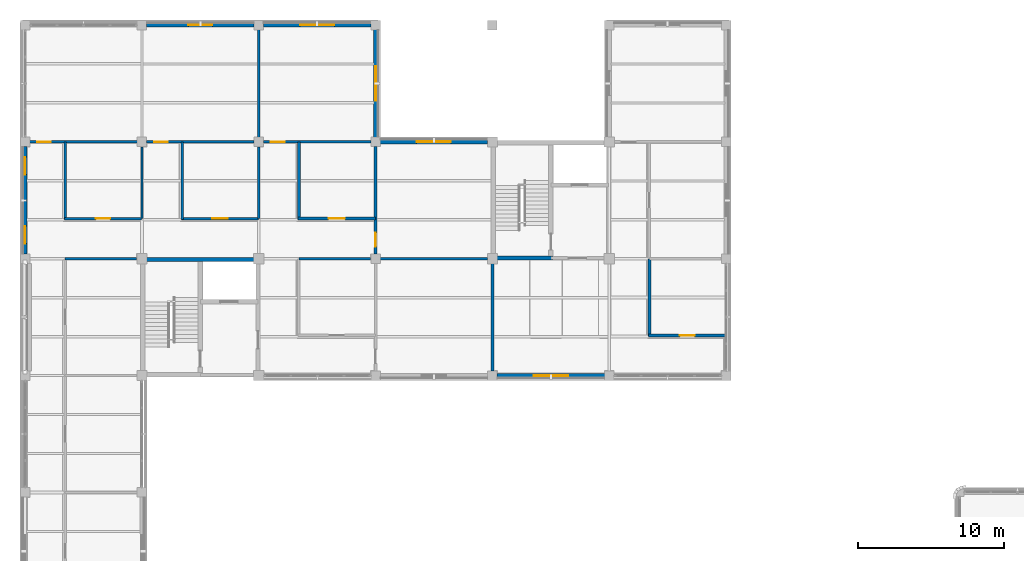
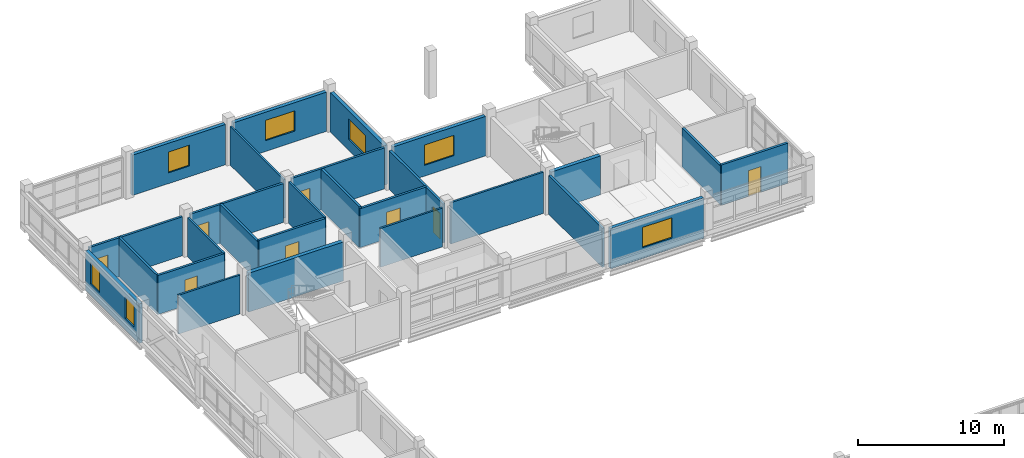
# One storey, part 69 of 92: 27 walls, 8 doors, 7 windows, 15 openings.
"""IFC4 building model written with IfcOpenShell, lengths in metres."""

import ifcopenshell
import ifcopenshell.guid

model = None  # the IFC model being written
_history = None  # IfcOwnerHistory: only IFC2X3 demands one
_inside = {}  # id of a spatial element -> (the spatial element, [elements in it])
_under = {}  # id of a project, library or spatial element -> (it, [spatial elements below it])
_declared = {}  # id of a project -> (the project, [libraries it declares])
_typed = {}  # id of a type object -> (the type object, [elements of that type])
_made_of = {}  # id of a material, layer set ... -> (it, [elements and type objects made of it])


def new_model(schema):
    """Start an empty IFC model of exactly this schema.

    Asked for "IFC4X3", IfcOpenShell would pick the latest addendum, in which some entities
    have other attributes; the version numbers below select the first issue.
    IFC2X3 requires an IfcOwnerHistory on every rooted entity: one is made here for all.
    """
    global model, _history
    if schema == "IFC4X3":
        model = ifcopenshell.file(schema_version=(4, 3, 0, 0))
    else:
        model = ifcopenshell.file(schema=schema)
    _inside.clear()
    _under.clear()
    _declared.clear()
    _typed.clear()
    _made_of.clear()
    _history = None
    if model.schema == "IFC2X3":
        org = make("IfcOrganization", Name="unknown")
        user = make(
            "IfcPersonAndOrganization",
            ThePerson=make("IfcPerson", FamilyName="unknown"),
            TheOrganization=org,
        )
        app = make(
            "IfcApplication",
            ApplicationDeveloper=org,
            Version="unknown",
            ApplicationFullName="unknown",
            ApplicationIdentifier="unknown",
        )
        _history = make(
            "IfcOwnerHistory",
            OwningUser=user,
            OwningApplication=app,
            ChangeAction="ADDED",
            CreationDate=0,
        )
    return model


def make(cls, **values):
    """One entity of the class cls with the attributes given. An attribute that is None is left unset."""
    return model.create_entity(
        cls, **{name: value for name, value in values.items() if value is not None}
    )


def rooted(cls, **values):
    """An entity with a GlobalId (a new one), such as an element, a storey or a relation."""
    return make(cls, GlobalId=ifcopenshell.guid.new(), OwnerHistory=_history, **values)


def si_unit(unit_type, name, prefix=None):
    """IfcSIUnit, for example si_unit("LENGTHUNIT", "METRE", prefix="MILLI")."""
    return make("IfcSIUnit", UnitType=unit_type, Prefix=prefix, Name=name)


def derived_unit(unit_type, elements):
    """IfcDerivedUnit: a product of units, each with its exponent."""
    return make(
        "IfcDerivedUnit",
        Elements=[
            make("IfcDerivedUnitElement", Unit=unit, Exponent=power)
            for unit, power in elements
        ],
        UnitType=unit_type,
    )


def assignment(units):
    """IfcUnitAssignment: the units of a project."""
    return None if units is None else make("IfcUnitAssignment", Units=units)


def point(xyz):
    """IfcCartesianPoint."""
    return None if xyz is None else make("IfcCartesianPoint", Coordinates=xyz)


def direction(xyz):
    """IfcDirection."""
    return None if xyz is None else make("IfcDirection", DirectionRatios=xyz)


def frame(location, z_axis=None, x_axis=None):
    """IfcAxis2Placement3D, a coordinate frame: its origin and axes. An axis left out is left unset."""
    return make(
        "IfcAxis2Placement3D",
        Location=point(location),
        Axis=direction(z_axis),
        RefDirection=direction(x_axis),
    )


def frame_2d(location, x_axis=None):
    """IfcAxis2Placement2D, a coordinate frame in the plane: its origin and x axis."""
    return make(
        "IfcAxis2Placement2D", Location=point(location), RefDirection=direction(x_axis)
    )


def origin():
    """The frame at (0, 0, 0) with its axes left unset."""
    return frame((0.0, 0.0, 0.0))


def place(relative_to, where):
    """IfcLocalPlacement: puts the frame where relative to a parent placement (None: the world)."""
    return make(
        "IfcLocalPlacement", PlacementRelTo=relative_to, RelativePlacement=where
    )


def context(
    kind, dimensions, precision=None, world=None, true_north=None, identifier=None
):
    """IfcGeometricRepresentationContext, for example the 3D "Model" context."""
    return make(
        "IfcGeometricRepresentationContext",
        ContextIdentifier=identifier,
        ContextType=kind,
        CoordinateSpaceDimension=dimensions,
        Precision=precision,
        WorldCoordinateSystem=world,
        TrueNorth=true_north,
    )


def subcontext(parent, identifier, kind, view, scale=None):
    """IfcGeometricRepresentationSubContext, for example "Body" below "Model"."""
    return make(
        "IfcGeometricRepresentationSubContext",
        ContextIdentifier=identifier,
        ContextType=kind,
        ParentContext=parent,
        TargetScale=scale,
        TargetView=view,
    )


def project(units=None, contexts=None):
    """IfcProject with its units and contexts."""
    return rooted(
        "IfcProject",
        Name="project",
        RepresentationContexts=contexts,
        UnitsInContext=assignment(units),
    )


def spatial(cls, under=None, at=None, **own):
    """A site, building, storey or space (cls), placed at a placement, below another one or the project."""
    s = rooted(cls, ObjectPlacement=at, **own)
    if under is not None:
        _under.setdefault(under.id(), (under, []))[1].append(s)
    return s


def profile(cls, at=None, kind="AREA", **sizes):
    """A parametric profile (cls). Its sizes go by their IFC names, for example OverallWidth=200.0."""
    return make(cls, ProfileType=kind, Position=at, **sizes)


def rectangle(**sizes):
    """IfcRectangleProfileDef."""
    return profile("IfcRectangleProfileDef", **sizes)


def extrude(swept, where, along, depth):
    """IfcExtrudedAreaSolid: the profile swept, set in the frame where, extruded along a direction by depth."""
    return make(
        "IfcExtrudedAreaSolid",
        SweptArea=swept,
        Position=where,
        ExtrudedDirection=direction(along),
        Depth=depth,
    )


def shape(context_of_items, identifier, shape_type, items):
    """IfcShapeRepresentation: the items that make up one representation, for example the "Body"."""
    return make(
        "IfcShapeRepresentation",
        ContextOfItems=context_of_items,
        RepresentationIdentifier=identifier,
        RepresentationType=shape_type,
        Items=items,
    )


def material(Name=None, Category=None):
    """IfcMaterial."""
    return make("IfcMaterial", Name=Name, Category=Category)


def layer(
    of_material, thickness, ventilated=None, Name=None, Category=None, Priority=None
):
    """IfcMaterialLayer: one layer of a wall or slab, of a material (None: an air gap)."""
    return make(
        "IfcMaterialLayer",
        Material=of_material,
        LayerThickness=thickness,
        IsVentilated=ventilated,
        Name=Name,
        Category=Category,
        Priority=Priority,
    )


def layer_set(layers, Name=None):
    """IfcMaterialLayerSet."""
    return make("IfcMaterialLayerSet", MaterialLayers=layers, LayerSetName=Name)


def made_of(thing, what):
    """Note that an element or type object is made of a material, layer set ...; save() writes the relation."""
    if what is not None:
        _made_of.setdefault(what.id(), (what, []))[1].append(thing)
    return thing


def type_object(cls, material=None, **own):
    """A type object (cls), such as IfcWallType, which elements share."""
    return made_of(rooted(cls, **own), material)


def element(
    cls,
    number,
    at=None,
    inside=None,
    cuts=None,
    type_object=None,
    material=None,
    context=None,
    identifier="Body",
    shape_type=None,
    held_by="IfcProductDefinitionShape",
    body=None,
    shapes=None,
    **own,
):
    """One element of the class cls, such as IfcWall. Its Tag is "e" and its number.

    at: its placement. inside: the storey or other place that contains it. cuts: it is an
    opening in that element (IfcRelVoidsElement). A single representation is given by context,
    identifier, shape_type and body (its items); several are given by shapes. held_by: the class
    of the entity that holds the representations. save() writes the other relations.
    """
    e = rooted(cls, Tag="e%d" % number, ObjectPlacement=at, **own)
    if body is not None:
        shapes = [shape(context, identifier, shape_type, body)]
    if shapes is not None:
        e.Representation = make(held_by, Representations=shapes)
    if inside is not None:
        _inside.setdefault(inside.id(), (inside, []))[1].append(e)
    if cuts is not None:
        rooted(
            "IfcRelVoidsElement", RelatingBuildingElement=cuts, RelatedOpeningElement=e
        )
    if type_object is not None:
        _typed.setdefault(type_object.id(), (type_object, []))[1].append(e)
    return made_of(e, material)


def fill(opening, filler):
    """IfcRelFillsElement: the door or window that sits in an opening."""
    return rooted(
        "IfcRelFillsElement",
        RelatingOpeningElement=opening,
        RelatedBuildingElement=filler,
    )


def aggregate(whole, parts):
    """IfcRelAggregates: a whole, such as a stair, and the parts it consists of."""
    return rooted("IfcRelAggregates", RelatingObject=whole, RelatedObjects=parts)


def save(model, path):
    """Write the relations noted so far, then the file.

    IfcRelAggregates (storeys below a building ...), IfcRelContainedInSpatialStructure (elements
    in a storey), IfcRelDefinesByType, IfcRelAssociatesMaterial and IfcRelDeclares: one each for
    every whole, place, type object, material and project.
    """
    for whole, parts in _under.values():
        aggregate(whole, parts)
    for where, things in _inside.values():
        rooted(
            "IfcRelContainedInSpatialStructure",
            RelatedElements=things,
            RelatingStructure=where,
        )
    for kind, things in _typed.values():
        rooted("IfcRelDefinesByType", RelatedObjects=things, RelatingType=kind)
    for what, things in _made_of.values():
        rooted("IfcRelAssociatesMaterial", RelatedObjects=things, RelatingMaterial=what)
    for by, libraries in _declared.values():
        rooted("IfcRelDeclares", RelatingContext=by, RelatedDefinitions=libraries)
    model.write(path)


model = new_model("IFC4")

# Units and contexts
model_context = context("Model", 3, precision=1e-05, world=origin(), true_north=direction((0.0, 1.0)))
body_context = subcontext(model_context, "Body", "Model", "MODEL_VIEW")
ifc_project = project(units=[si_unit("LENGTHUNIT", "METRE"), si_unit("AREAUNIT", "SQUARE_METRE"), si_unit("VOLUMEUNIT", "CUBIC_METRE"), si_unit("PLANEANGLEUNIT", "RADIAN"), si_unit("MASSUNIT", "GRAM", prefix="KILO"), derived_unit("THERMALTRANSMITTANCEUNIT", [(si_unit("MASSUNIT", "GRAM", prefix="KILO"), 1), (si_unit("TIMEUNIT", "SECOND"), -3), (si_unit("THERMODYNAMICTEMPERATUREUNIT", "KELVIN"), -1)])], contexts=[model_context])

# Site, building, storey
site_placement = place(None, origin())
site = spatial("IfcSite", under=ifc_project, at=site_placement, CompositionType="ELEMENT")
building_placement = place(site_placement, origin())
building = spatial("IfcBuilding", under=site, at=building_placement, Name="Veyamyaing Civic Hall", CompositionType="ELEMENT")
storey_placement = place(building_placement, frame((0.0, 0.0, 17.820068359375)))
storey = spatial("IfcBuildingStorey", under=building, at=storey_placement, Name="L04", CompositionType="ELEMENT", Elevation=17.820068359375)

# Wall, openings, windows
ifc_material_1 = material(Name="Precast concrete C40/50", Category="concrete")
ifc_layer_1 = layer(ifc_material_1, 0.280029296875, Name="Precast concrete C40/50")
ifc_layer_set_1 = layer_set([ifc_layer_1], Name="Precast concrete C40/50")
wall_type_1 = type_object("IfcWallType", Name="WT-04", PredefinedType="SOLIDWALL", material=ifc_layer_set_1)
wall_1_placement = place(storey_placement, frame((0.0, 96.31005859375, 0.0), z_axis=(0.0, 0.0, 1.0), x_axis=(0.0, 1.0, 0.0)))
wall_1 = element("IfcWall", 1, at=wall_1_placement, inside=storey, type_object=wall_type_1, Name="Exterior facade wall WT-04 L04 W 1.13", PredefinedType="SOLIDWALL", context=body_context, shape_type="SweptSolid", body=[
    extrude(rectangle(XDim=7.3798828125, YDim=0.280029296875, at=frame_2d((3.68994140625, 0.0))), origin(), (0.0, 0.0, 1.0), 3.309814453125),
])
opening_1_placement = place(wall_1_placement, frame((0.728515625, 0.0, 0.949951171875)))
opening_1 = element("IfcOpeningElement", 2, at=opening_1_placement, cuts=wall_1, Name="Opening W-14", PredefinedType="OPENING", context=body_context, shape_type="SweptSolid", body=[
    extrude(rectangle(XDim=1.199951171875, YDim=1.800048828125, at=frame_2d((0.60009765625, 0.89990234375))), frame((0.0, 0.14990234375, 0.0), z_axis=(0.0, -1.0, 0.0), x_axis=(1.0, 0.0, 0.0)), (0.0, 0.0, 1.0), 0.300048828125),
])
opening_2_placement = place(wall_1_placement, frame((5.45166015625, 0.0, 0.949951171875)))
opening_2 = element("IfcOpeningElement", 3, at=opening_2_placement, cuts=wall_1, Name="Opening W-14", PredefinedType="OPENING", context=body_context, shape_type="SweptSolid", body=[
    extrude(rectangle(XDim=1.199951171875, YDim=1.800048828125, at=frame_2d((0.60009765625, 0.89990234375))), frame((0.0, 0.14990234375, 0.0), z_axis=(0.0, -1.0, 0.0), x_axis=(1.0, 0.0, 0.0)), (0.0, 0.0, 1.0), 0.300048828125),
])
ifc_material_2 = material(Name="Low-E insulated glass", Category="glass")
window_type_1 = type_object("IfcWindowType", Name="W-14", PartitioningType="SINGLE_PANEL", PredefinedType="WINDOW", material=ifc_material_2)
window_1_placement = place(opening_1_placement, origin())
window_1 = element("IfcWindow", 4, at=window_1_placement, inside=storey, type_object=window_type_1, Name="Facade window W-14 L04 W 1.13.1", OverallHeight=1.800048828125, OverallWidth=1.199951171875, PartitioningType="SINGLE_PANEL", PredefinedType="WINDOW", context=body_context, shape_type="SweptSolid", body=[
    extrude(rectangle(XDim=1.199951171875, YDim=1.800048828125, at=frame_2d((0.60009765625, 0.89990234375))), frame((0.0, 0.030029296875, 0.0), z_axis=(0.0, -1.0, 0.0), x_axis=(1.0, 0.0, 0.0)), (0.0, 0.0, 1.0), 0.06005859375),
])
fill(opening_1, window_1)
window_2_placement = place(opening_2_placement, origin())
window_2 = element("IfcWindow", 5, at=window_2_placement, inside=storey, type_object=window_type_1, Name="Facade window W-14 L04 W 1.13.2", OverallHeight=1.800048828125, OverallWidth=1.199951171875, PartitioningType="SINGLE_PANEL", PredefinedType="WINDOW", context=body_context, shape_type="SweptSolid", body=[
    extrude(rectangle(XDim=1.199951171875, YDim=1.800048828125, at=frame_2d((0.60009765625, 0.89990234375))), frame((0.0, 0.030029296875, 0.0), z_axis=(0.0, -1.0, 0.0), x_axis=(1.0, 0.0, 0.0)), (0.0, 0.0, 1.0), 0.06005859375),
])
fill(opening_2, window_2)

# Wall, opening, window
wall_2_placement = place(storey_placement, frame((8.31005859375, 112.0, 0.0), z_axis=(0.0, 0.0, 1.0), x_axis=(1.0, 0.0, 0.0)))
wall_2 = element("IfcWall", 6, at=wall_2_placement, inside=storey, type_object=wall_type_1, Name="Exterior facade wall WT-04 L04 N 2.14", PredefinedType="SOLIDWALL", context=body_context, shape_type="SweptSolid", body=[
    extrude(rectangle(XDim=7.3798828125, YDim=0.280029296875, at=frame_2d((3.68994140625, 0.0))), origin(), (0.0, 0.0, 1.0), 3.376953125),
])
opening_3_placement = place(wall_2_placement, frame((2.864990234375, 0.0, 0.89990234375)))
opening_3 = element("IfcOpeningElement", 7, at=opening_3_placement, cuts=wall_2, Name="Opening W-24", PredefinedType="OPENING", context=body_context, shape_type="SweptSolid", body=[
    extrude(rectangle(XDim=1.64990234375, YDim=1.75, at=frame_2d((0.824951171875, 0.875))), frame((0.0, 0.14990234375, 0.0), z_axis=(0.0, -1.0, 0.0), x_axis=(1.0, 0.0, 0.0)), (0.0, 0.0, 1.0), 0.300048828125),
])
window_type_2 = type_object("IfcWindowType", Name="W-24", PartitioningType="SINGLE_PANEL", PredefinedType="WINDOW", material=ifc_material_2)
window_3_placement = place(opening_3_placement, origin())
window_3 = element("IfcWindow", 8, at=window_3_placement, inside=storey, type_object=window_type_2, Name="Facade window W-24 L04 N 2.14", OverallHeight=1.75, OverallWidth=1.64990234375, PartitioningType="SINGLE_PANEL", PredefinedType="WINDOW", context=body_context, shape_type="SweptSolid", body=[
    extrude(rectangle(XDim=1.64990234375, YDim=1.75, at=frame_2d((0.824951171875, 0.875))), frame((0.0, 0.030029296875, 0.0), z_axis=(0.0, -1.0, 0.0), x_axis=(1.0, 0.0, 0.0)), (0.0, 0.0, 1.0), 0.06005859375),
])
fill(opening_3, window_3)

wall_3_placement = place(storey_placement, frame((16.31005859375, 112.0, 0.0), z_axis=(0.0, 0.0, 1.0), x_axis=(1.0, 0.0, 0.0)))
wall_3 = element("IfcWall", 9, at=wall_3_placement, inside=storey, type_object=wall_type_1, Name="Exterior facade wall WT-04 L04 N 3.14", PredefinedType="SOLIDWALL", context=body_context, shape_type="SweptSolid", body=[
    extrude(rectangle(XDim=7.3798828125, YDim=0.280029296875, at=frame_2d((3.68994140625, 0.0))), origin(), (0.0, 0.0, 1.0), 3.284912109375),
])
opening_4_placement = place(wall_3_placement, frame((2.514892578125, 0.0, 0.89990234375)))
opening_4 = element("IfcOpeningElement", 10, at=opening_4_placement, cuts=wall_3, Name="Opening W-29", PredefinedType="OPENING", context=body_context, shape_type="SweptSolid", body=[
    extrude(rectangle(XDim=2.35009765625, YDim=1.699951171875, at=frame_2d((1.175048828125, 0.85009765625))), frame((0.0, 0.14990234375, 0.0), z_axis=(0.0, -1.0, 0.0), x_axis=(1.0, 0.0, 0.0)), (0.0, 0.0, 1.0), 0.300048828125),
])
window_type_3 = type_object("IfcWindowType", Name="W-29", PartitioningType="SINGLE_PANEL", PredefinedType="WINDOW", material=ifc_material_2)
window_4_placement = place(opening_4_placement, origin())
window_4 = element("IfcWindow", 11, at=window_4_placement, inside=storey, type_object=window_type_3, Name="Facade window W-29 L04 N 3.14", OverallHeight=1.699951171875, OverallWidth=2.35009765625, PartitioningType="SINGLE_PANEL", PredefinedType="WINDOW", context=body_context, shape_type="SweptSolid", body=[
    extrude(rectangle(XDim=2.35009765625, YDim=1.699951171875, at=frame_2d((1.175048828125, 0.85009765625))), frame((0.0, 0.030029296875, 0.0), z_axis=(0.0, -1.0, 0.0), x_axis=(1.0, 0.0, 0.0)), (0.0, 0.0, 1.0), 0.06005859375),
])
fill(opening_4, window_4)

wall_4_placement = place(storey_placement, frame((24.0, 104.31005859375, 0.0), z_axis=(0.0, 0.0, 1.0), x_axis=(0.0, 1.0, 0.0)))
wall_4 = element("IfcWall", 12, at=wall_4_placement, inside=storey, type_object=wall_type_1, Name="Exterior facade wall WT-04 L04 E 3.14", PredefinedType="SOLIDWALL", context=body_context, shape_type="SweptSolid", body=[
    extrude(rectangle(XDim=7.3798828125, YDim=0.280029296875, at=frame_2d((3.68994140625, 0.0))), origin(), (0.0, 0.0, 1.0), 3.284912109375),
])
opening_5_placement = place(wall_4_placement, frame((2.514892578125, 0.0, 0.89990234375)))
opening_5 = element("IfcOpeningElement", 13, at=opening_5_placement, cuts=wall_4, Name="Opening W-29", PredefinedType="OPENING", context=body_context, shape_type="SweptSolid", body=[
    extrude(rectangle(XDim=2.35009765625, YDim=1.699951171875, at=frame_2d((1.175048828125, 0.85009765625))), frame((0.0, 0.14990234375, 0.0), z_axis=(0.0, -1.0, 0.0), x_axis=(1.0, 0.0, 0.0)), (0.0, 0.0, 1.0), 0.300048828125),
])
window_5_placement = place(opening_5_placement, origin())
window_5 = element("IfcWindow", 14, at=window_5_placement, inside=storey, type_object=window_type_3, Name="Facade window W-29 L04 E 3.14", OverallHeight=1.699951171875, OverallWidth=2.35009765625, PartitioningType="SINGLE_PANEL", PredefinedType="WINDOW", context=body_context, shape_type="SweptSolid", body=[
    extrude(rectangle(XDim=2.35009765625, YDim=1.699951171875, at=frame_2d((1.175048828125, 0.85009765625))), frame((0.0, 0.030029296875, 0.0), z_axis=(0.0, -1.0, 0.0), x_axis=(1.0, 0.0, 0.0)), (0.0, 0.0, 1.0), 0.06005859375),
])
fill(opening_5, window_5)

wall_5_placement = place(storey_placement, frame((24.31005859375, 104.0, 0.0), z_axis=(0.0, 0.0, 1.0), x_axis=(1.0, 0.0, 0.0)))
wall_5 = element("IfcWall", 15, at=wall_5_placement, inside=storey, type_object=wall_type_1, Name="Exterior facade wall WT-04 L04 N 4.13", PredefinedType="SOLIDWALL", context=body_context, shape_type="SweptSolid", body=[
    extrude(rectangle(XDim=7.35498046875, YDim=0.280029296875, at=frame_2d((3.677490234375, 0.0))), origin(), (0.0, 0.0, 1.0), 3.309814453125),
])
opening_6_placement = place(wall_5_placement, frame((2.50244140625, 0.0, 0.89990234375)))
opening_6 = element("IfcOpeningElement", 16, at=opening_6_placement, cuts=wall_5, Name="Opening W-29", PredefinedType="OPENING", context=body_context, shape_type="SweptSolid", body=[
    extrude(rectangle(XDim=2.35009765625, YDim=1.699951171875, at=frame_2d((1.175048828125, 0.85009765625))), frame((0.0, 0.14990234375, 0.0), z_axis=(0.0, -1.0, 0.0), x_axis=(1.0, 0.0, 0.0)), (0.0, 0.0, 1.0), 0.300048828125),
])
window_6_placement = place(opening_6_placement, origin())
window_6 = element("IfcWindow", 17, at=window_6_placement, inside=storey, type_object=window_type_3, Name="Facade window W-29 L04 N 4.13", OverallHeight=1.699951171875, OverallWidth=2.35009765625, PartitioningType="SINGLE_PANEL", PredefinedType="WINDOW", context=body_context, shape_type="SweptSolid", body=[
    extrude(rectangle(XDim=2.35009765625, YDim=1.699951171875, at=frame_2d((1.175048828125, 0.85009765625))), frame((0.0, 0.030029296875, 0.0), z_axis=(0.0, -1.0, 0.0), x_axis=(1.0, 0.0, 0.0)), (0.0, 0.0, 1.0), 0.06005859375),
])
fill(opening_6, window_6)

wall_6_placement = place(storey_placement, frame((32.31005859375, 88.0, 0.0), z_axis=(0.0, 0.0, 1.0), x_axis=(1.0, 0.0, 0.0)))
wall_6 = element("IfcWall", 18, at=wall_6_placement, inside=storey, type_object=wall_type_1, Name="Exterior facade wall WT-04 L04 S 5.12", PredefinedType="SOLIDWALL", context=body_context, shape_type="SweptSolid", body=[
    extrude(rectangle(XDim=7.3798828125, YDim=0.280029296875, at=frame_2d((3.68994140625, 0.0))), origin(), (0.0, 0.0, 1.0), 3.376953125),
])
opening_7_placement = place(wall_6_placement, frame((2.514892578125, 0.0, 0.89990234375)))
opening_7 = element("IfcOpeningElement", 19, at=opening_7_placement, cuts=wall_6, Name="Opening W-29", PredefinedType="OPENING", context=body_context, shape_type="SweptSolid", body=[
    extrude(rectangle(XDim=2.35009765625, YDim=1.699951171875, at=frame_2d((1.175048828125, 0.85009765625))), frame((0.0, 0.14990234375, 0.0), z_axis=(0.0, -1.0, 0.0), x_axis=(1.0, 0.0, 0.0)), (0.0, 0.0, 1.0), 0.300048828125),
])
window_7_placement = place(opening_7_placement, origin())
window_7 = element("IfcWindow", 20, at=window_7_placement, inside=storey, type_object=window_type_3, Name="Facade window W-29 L04 S 5.12", OverallHeight=1.699951171875, OverallWidth=2.35009765625, PartitioningType="SINGLE_PANEL", PredefinedType="WINDOW", context=body_context, shape_type="SweptSolid", body=[
    extrude(rectangle(XDim=2.35009765625, YDim=1.699951171875, at=frame_2d((1.175048828125, 0.85009765625))), frame((0.0, 0.030029296875, 0.0), z_axis=(0.0, -1.0, 0.0), x_axis=(1.0, 0.0, 0.0)), (0.0, 0.0, 1.0), 0.06005859375),
])
fill(opening_7, window_7)

# Walls
ifc_material_3 = material(Name="Concrete C40/50", Category="concrete")
ifc_layer_2 = layer(ifc_material_3, 0.300048828125, Name="Concrete C40/50")
ifc_layer_set_2 = layer_set([ifc_layer_2], Name="Concrete C40/50")
wall_type_2 = type_object("IfcWallType", Name="WT-05", PredefinedType="SHEAR", material=ifc_layer_set_2)
wall_7_placement = place(storey_placement, frame((8.239990234375, 95.949951171875, 0.0), z_axis=(0.0, 0.0, 1.0), x_axis=(1.0, 0.0, 0.0)))
element("IfcWall", 21, at=wall_7_placement, inside=storey, type_object=wall_type_2, Name="Core shear wall WT-05 CORE-1 L04.N", PredefinedType="SHEAR", context=body_context, shape_type="SweptSolid", body=[
    extrude(rectangle(XDim=7.52001953125, YDim=0.300048828125, at=frame_2d((3.760009765625, 0.0))), origin(), (0.0, 0.0, 1.0), 3.262939453125),
])
wall_8_placement = place(storey_placement, frame((32.239990234375, 96.050048828125, 0.0), z_axis=(0.0, 0.0, 1.0), x_axis=(1.0, 0.0, 0.0)))
element("IfcWall", 22, at=wall_8_placement, inside=storey, type_object=wall_type_2, Name="Core shear wall WT-05 CORE-2 L04.SS", PredefinedType="SHEAR", context=body_context, shape_type="SweptSolid", body=[
    extrude(rectangle(XDim=3.909912109375, YDim=0.300048828125, at=frame_2d((1.955078125, 0.0))), origin(), (0.0, 0.0, 1.0), 3.2568359375),
])

# Wall, opening, door
ifc_material_4 = material(Name="Gypsum board on acoustic steel stud", Category="steel")
ifc_layer_3 = layer(ifc_material_4, 0.175048828125, Name="Gypsum board on acoustic steel stud")
ifc_layer_set_3 = layer_set([ifc_layer_3], Name="Gypsum board on acoustic steel stud")
wall_type_3 = type_object("IfcWallType", Name="WT-07", PredefinedType="PARTITIONING", material=ifc_layer_set_3)
wall_9_placement = place(storey_placement, frame((2.699951171875, 98.75, 0.0), z_axis=(0.0, 0.0, 1.0), x_axis=(1.0, 0.0, 0.0)))
wall_9 = element("IfcWall", 23, at=wall_9_placement, inside=storey, type_object=wall_type_3, Name="Corridor gallery partition WT-07 L04.7.1", PredefinedType="PARTITIONING", context=body_context, shape_type="SweptSolid", body=[
    extrude(rectangle(XDim=5.280029296875, YDim=0.175048828125, at=frame_2d((2.64013671875, 0.0))), origin(), (0.0, 0.0, 1.0), 3.262939453125),
])
opening_8_placement = place(wall_9_placement, frame((2.14990234375, 0.0, 0.0)))
opening_8 = element("IfcOpeningElement", 24, at=opening_8_placement, cuts=wall_9, Name="Opening D-14", PredefinedType="OPENING", context=body_context, shape_type="SweptSolid", body=[
    extrude(rectangle(XDim=0.97998046875, YDim=2.14990234375, at=frame_2d((0.489990234375, 1.074951171875))), frame((0.0, 0.097412109375, 0.0), z_axis=(0.0, -1.0, 0.0), x_axis=(1.0, 0.0, 0.0)), (0.0, 0.0, 1.0), 0.195068359375),
])
ifc_material_5 = material(Name="Teak-veneered acoustic timber", Category="wood")
door_type_1 = type_object("IfcDoorType", Name="D-14", OperationType="NOTDEFINED", PredefinedType="DOOR", material=ifc_material_5)
door_1_placement = place(opening_8_placement, origin())
door_1 = element("IfcDoor", 25, at=door_1_placement, inside=storey, type_object=door_type_1, Name="Gallery office door D-14 L04.7", OperationType="SINGLE_SWING_RIGHT", OverallHeight=2.14990234375, OverallWidth=0.97998046875, PredefinedType="DOOR", context=body_context, shape_type="SweptSolid", body=[
    extrude(rectangle(XDim=0.97998046875, YDim=2.14990234375, at=frame_2d((0.489990234375, 1.074951171875))), frame((0.0, 0.02490234375, 0.0), z_axis=(0.0, -1.0, 0.0), x_axis=(1.0, 0.0, 0.0)), (0.0, 0.0, 1.0), 0.050048828125),
])
fill(opening_8, door_1)

# Wall
wall_10_placement = place(storey_placement, frame((2.75, 98.699951171875, 0.0), z_axis=(0.0, 0.0, 1.0), x_axis=(0.0, 1.0, 0.0)))
element("IfcWall", 26, at=wall_10_placement, inside=storey, type_object=wall_type_3, Name="Corridor gallery partition WT-07 L04.7.2", PredefinedType="PARTITIONING", context=body_context, shape_type="SweptSolid", body=[
    extrude(rectangle(XDim=5.280029296875, YDim=0.175048828125, at=frame_2d((2.64013671875, 0.0))), origin(), (0.0, 0.0, 1.0), 3.262939453125),
])

# Wall, opening, door
wall_11_placement = place(storey_placement, frame((10.699951171875, 98.75, 0.0), z_axis=(0.0, 0.0, 1.0), x_axis=(1.0, 0.0, 0.0)))
wall_11 = element("IfcWall", 27, at=wall_11_placement, inside=storey, type_object=wall_type_3, Name="Corridor gallery partition WT-07 L04.9.1", PredefinedType="PARTITIONING", context=body_context, shape_type="SweptSolid", body=[
    extrude(rectangle(XDim=5.280029296875, YDim=0.175048828125, at=frame_2d((2.64013671875, 0.0))), origin(), (0.0, 0.0, 1.0), 3.40185546875),
])
opening_9_placement = place(wall_11_placement, frame((2.10009765625, 0.0, 0.0)))
opening_9 = element("IfcOpeningElement", 28, at=opening_9_placement, cuts=wall_11, Name="Opening D-23", PredefinedType="OPENING", context=body_context, shape_type="SweptSolid", body=[
    extrude(rectangle(XDim=1.080078125, YDim=2.199951171875, at=frame_2d((0.5400390625, 1.10009765625))), frame((0.0, 0.097412109375, 0.0), z_axis=(0.0, -1.0, 0.0), x_axis=(1.0, 0.0, 0.0)), (0.0, 0.0, 1.0), 0.195068359375),
])
door_type_2 = type_object("IfcDoorType", Name="D-23", OperationType="NOTDEFINED", PredefinedType="DOOR", material=ifc_material_5)
door_2_placement = place(opening_9_placement, origin())
door_2 = element("IfcDoor", 29, at=door_2_placement, inside=storey, type_object=door_type_2, Name="Gallery office door D-23 L04.9", OperationType="SINGLE_SWING_RIGHT", OverallHeight=2.199951171875, OverallWidth=1.080078125, PredefinedType="DOOR", context=body_context, shape_type="SweptSolid", body=[
    extrude(rectangle(XDim=1.080078125, YDim=2.199951171875, at=frame_2d((0.5400390625, 1.10009765625))), frame((0.0, 0.02490234375, 0.0), z_axis=(0.0, -1.0, 0.0), x_axis=(1.0, 0.0, 0.0)), (0.0, 0.0, 1.0), 0.050048828125),
])
fill(opening_9, door_2)

# Wall
wall_12_placement = place(storey_placement, frame((10.75, 98.699951171875, 0.0), z_axis=(0.0, 0.0, 1.0), x_axis=(0.0, 1.0, 0.0)))
element("IfcWall", 30, at=wall_12_placement, inside=storey, type_object=wall_type_3, Name="Corridor gallery partition WT-07 L04.9.2", PredefinedType="PARTITIONING", context=body_context, shape_type="SweptSolid", body=[
    extrude(rectangle(XDim=5.280029296875, YDim=0.175048828125, at=frame_2d((2.64013671875, 0.0))), origin(), (0.0, 0.0, 1.0), 3.2509765625),
])

# Wall, opening, door
wall_13_placement = place(storey_placement, frame((0.31494140625, 104.0, 0.0), z_axis=(0.0, 0.0, 1.0), x_axis=(1.0, 0.0, 0.0)))
wall_13 = element("IfcWall", 31, at=wall_13_placement, inside=storey, type_object=wall_type_3, Name="Interior partition wall WT-07 L04.3", PredefinedType="PARTITIONING", context=body_context, shape_type="SweptSolid", body=[
    extrude(rectangle(XDim=7.3701171875, YDim=0.175048828125, at=frame_2d((3.68505859375, 0.0))), origin(), (0.0, 0.0, 1.0), 3.262939453125),
])
opening_10_placement = place(wall_13_placement, frame((0.52001953125, 0.0, 0.0)))
opening_10 = element("IfcOpeningElement", 32, at=opening_10_placement, cuts=wall_13, Name="Opening D-30", PredefinedType="OPENING", context=body_context, shape_type="SweptSolid", body=[
    extrude(rectangle(XDim=0.93994140625, YDim=2.1201171875, at=frame_2d((0.469970703125, 1.06005859375))), frame((0.0, 0.097412109375, 0.0), z_axis=(0.0, -1.0, 0.0), x_axis=(1.0, 0.0, 0.0)), (0.0, 0.0, 1.0), 0.195068359375),
])
door_type_3 = type_object("IfcDoorType", Name="D-30", OperationType="NOTDEFINED", PredefinedType="DOOR", material=ifc_material_5)
door_3_placement = place(opening_10_placement, origin())
door_3 = element("IfcDoor", 33, at=door_3_placement, inside=storey, type_object=door_type_3, Name="Interior door D-30 L04.3", OperationType="SINGLE_SWING_LEFT", OverallHeight=2.1201171875, OverallWidth=0.93994140625, PredefinedType="DOOR", context=body_context, shape_type="SweptSolid", body=[
    extrude(rectangle(XDim=0.93994140625, YDim=2.1201171875, at=frame_2d((0.469970703125, 1.06005859375))), frame((0.0, 0.02490234375, 0.0), z_axis=(0.0, -1.0, 0.0), x_axis=(1.0, 0.0, 0.0)), (0.0, 0.0, 1.0), 0.050048828125),
])
fill(opening_10, door_3)

wall_14_placement = place(storey_placement, frame((8.31494140625, 104.0, 0.0), z_axis=(0.0, 0.0, 1.0), x_axis=(1.0, 0.0, 0.0)))
wall_14 = element("IfcWall", 34, at=wall_14_placement, inside=storey, type_object=wall_type_3, Name="Interior partition wall WT-07 L04.5", PredefinedType="PARTITIONING", context=body_context, shape_type="SweptSolid", body=[
    extrude(rectangle(XDim=7.3701171875, YDim=0.175048828125, at=frame_2d((3.68505859375, 0.0))), origin(), (0.0, 0.0, 1.0), 3.2509765625),
])
opening_11_placement = place(wall_14_placement, frame((0.52001953125, 0.0, 0.0)))
opening_11 = element("IfcOpeningElement", 35, at=opening_11_placement, cuts=wall_14, Name="Opening D-30", PredefinedType="OPENING", context=body_context, shape_type="SweptSolid", body=[
    extrude(rectangle(XDim=0.93994140625, YDim=2.1201171875, at=frame_2d((0.469970703125, 1.06005859375))), frame((0.0, 0.097412109375, 0.0), z_axis=(0.0, -1.0, 0.0), x_axis=(1.0, 0.0, 0.0)), (0.0, 0.0, 1.0), 0.195068359375),
])
door_4_placement = place(opening_11_placement, origin())
door_4 = element("IfcDoor", 36, at=door_4_placement, inside=storey, type_object=door_type_3, Name="Interior door D-30 L04.5", OperationType="SINGLE_SWING_RIGHT", OverallHeight=2.1201171875, OverallWidth=0.93994140625, PredefinedType="DOOR", context=body_context, shape_type="SweptSolid", body=[
    extrude(rectangle(XDim=0.93994140625, YDim=2.1201171875, at=frame_2d((0.469970703125, 1.06005859375))), frame((0.0, 0.02490234375, 0.0), z_axis=(0.0, -1.0, 0.0), x_axis=(1.0, 0.0, 0.0)), (0.0, 0.0, 1.0), 0.050048828125),
])
fill(opening_11, door_4)

wall_15_placement = place(storey_placement, frame((16.31494140625, 104.0, 0.0), z_axis=(0.0, 0.0, 1.0), x_axis=(1.0, 0.0, 0.0)))
wall_15 = element("IfcWall", 37, at=wall_15_placement, inside=storey, type_object=wall_type_3, Name="Interior partition wall WT-07 L04.9", PredefinedType="PARTITIONING", context=body_context, shape_type="SweptSolid", body=[
    extrude(rectangle(XDim=7.3701171875, YDim=0.175048828125, at=frame_2d((3.68505859375, 0.0))), origin(), (0.0, 0.0, 1.0), 3.43701171875),
])
opening_12_placement = place(wall_15_placement, frame((0.52001953125, 0.0, 0.0)))
opening_12 = element("IfcOpeningElement", 38, at=opening_12_placement, cuts=wall_15, Name="Opening D-30", PredefinedType="OPENING", context=body_context, shape_type="SweptSolid", body=[
    extrude(rectangle(XDim=0.93994140625, YDim=2.1201171875, at=frame_2d((0.469970703125, 1.06005859375))), frame((0.0, 0.097412109375, 0.0), z_axis=(0.0, -1.0, 0.0), x_axis=(1.0, 0.0, 0.0)), (0.0, 0.0, 1.0), 0.195068359375),
])
door_5_placement = place(opening_12_placement, origin())
door_5 = element("IfcDoor", 39, at=door_5_placement, inside=storey, type_object=door_type_3, Name="Interior door D-30 L04.9", OperationType="SINGLE_SWING_LEFT", OverallHeight=2.1201171875, OverallWidth=0.93994140625, PredefinedType="DOOR", context=body_context, shape_type="SweptSolid", body=[
    extrude(rectangle(XDim=0.93994140625, YDim=2.1201171875, at=frame_2d((0.469970703125, 1.06005859375))), frame((0.0, 0.02490234375, 0.0), z_axis=(0.0, -1.0, 0.0), x_axis=(1.0, 0.0, 0.0)), (0.0, 0.0, 1.0), 0.050048828125),
])
fill(opening_12, door_5)

# Walls
ifc_material_6 = material(Name="Gypsum board on steel stud", Category="steel")
ifc_layer_4 = layer(ifc_material_6, 0.14990234375, Name="Gypsum board on steel stud")
ifc_layer_set_4 = layer_set([ifc_layer_4], Name="Gypsum board on steel stud")
wall_type_4 = type_object("IfcWallType", Name="WT-08", PredefinedType="PARTITIONING", material=ifc_layer_set_4)
wall_16_placement = place(storey_placement, frame((2.75, 96.0, 0.0), z_axis=(0.0, 0.0, 1.0), x_axis=(1.0, 0.0, 0.0)))
element("IfcWall", 40, at=wall_16_placement, inside=storey, type_object=wall_type_4, Name="Gallery office end partition WT-08 L04.6.2", PredefinedType="PARTITIONING", context=body_context, shape_type="SweptSolid", body=[
    extrude(rectangle(XDim=4.889892578125, YDim=0.14990234375, at=frame_2d((2.44482421875, 0.0))), origin(), (0.0, 0.0, 1.0), 3.2568359375),
])
wall_17_placement = place(storey_placement, frame((8.0, 98.75, 0.0), z_axis=(0.0, 0.0, 1.0), x_axis=(0.0, 1.0, 0.0)))
element("IfcWall", 41, at=wall_17_placement, inside=storey, type_object=wall_type_4, Name="Gallery office end partition WT-08 L04.7.2", PredefinedType="PARTITIONING", context=body_context, shape_type="SweptSolid", body=[
    extrude(rectangle(XDim=4.9150390625, YDim=0.14990234375, at=frame_2d((2.45751953125, 0.0))), origin(), (0.0, 0.0, 1.0), 3.262939453125),
])
wall_18_placement = place(storey_placement, frame((16.0, 98.75, 0.0), z_axis=(0.0, 0.0, 1.0), x_axis=(0.0, 1.0, 0.0)))
element("IfcWall", 42, at=wall_18_placement, inside=storey, type_object=wall_type_4, Name="Gallery office end partition WT-08 L04.9.2", PredefinedType="PARTITIONING", context=body_context, shape_type="SweptSolid", body=[
    extrude(rectangle(XDim=4.9150390625, YDim=0.14990234375, at=frame_2d((2.45751953125, 0.0))), origin(), (0.0, 0.0, 1.0), 3.4619140625),
])
wall_19_placement = place(storey_placement, frame((18.75, 96.0, 0.0), z_axis=(0.0, 0.0, 1.0), x_axis=(1.0, 0.0, 0.0)))
element("IfcWall", 43, at=wall_19_placement, inside=storey, type_object=wall_type_4, Name="Gallery office end partition WT-08 L04.11.1", PredefinedType="PARTITIONING", context=body_context, shape_type="SweptSolid", body=[
    extrude(rectangle(XDim=4.9150390625, YDim=0.14990234375, at=frame_2d((2.45751953125, 0.0))), origin(), (0.0, 0.0, 1.0), 3.2509765625),
])
wall_20_placement = place(storey_placement, frame((24.31494140625, 96.0, 0.0), z_axis=(0.0, 0.0, 1.0), x_axis=(1.0, 0.0, 0.0)))
element("IfcWall", 44, at=wall_20_placement, inside=storey, type_object=wall_type_4, Name="Interior partition wall WT-08 L04.11", PredefinedType="PARTITIONING", context=body_context, shape_type="SweptSolid", body=[
    extrude(rectangle(XDim=7.344970703125, YDim=0.14990234375, at=frame_2d((3.67236328125, 0.0))), origin(), (0.0, 0.0, 1.0), 3.4619140625),
])

# Wall, opening, door
ifc_material_7 = material(Name="Gypsum board on double acoustic stud")
ifc_layer_5 = layer(ifc_material_7, 0.18505859375, Name="Gypsum board on double acoustic stud")
ifc_layer_set_5 = layer_set([ifc_layer_5], Name="Gypsum board on double acoustic stud")
wall_type_5 = type_object("IfcWallType", Name="WT-19", PredefinedType="PARTITIONING", material=ifc_layer_set_5)
wall_21_placement = place(storey_placement, frame((18.699951171875, 98.75, 0.0), z_axis=(0.0, 0.0, 1.0), x_axis=(1.0, 0.0, 0.0)))
wall_21 = element("IfcWall", 45, at=wall_21_placement, inside=storey, type_object=wall_type_5, Name="Corridor gallery partition WT-19 L04.12.1", PredefinedType="PARTITIONING", context=body_context, shape_type="SweptSolid", body=[
    extrude(rectangle(XDim=5.280029296875, YDim=0.18505859375, at=frame_2d((2.64013671875, 0.0))), origin(), (0.0, 0.0, 1.0), 3.2568359375),
])
opening_13_placement = place(wall_21_placement, frame((2.080078125, 0.0, 0.0)))
opening_13 = element("IfcOpeningElement", 46, at=opening_13_placement, cuts=wall_21, Name="Opening D-26", PredefinedType="OPENING", context=body_context, shape_type="SweptSolid", body=[
    extrude(rectangle(XDim=1.1201171875, YDim=2.219970703125, at=frame_2d((0.56005859375, 1.10986328125))), frame((0.0, 0.1025390625, 0.0), z_axis=(0.0, -1.0, 0.0), x_axis=(1.0, 0.0, 0.0)), (0.0, 0.0, 1.0), 0.205078125),
])
door_type_4 = type_object("IfcDoorType", Name="D-26", OperationType="NOTDEFINED", PredefinedType="DOOR", material=ifc_material_5)
door_6_placement = place(opening_13_placement, origin())
door_6 = element("IfcDoor", 47, at=door_6_placement, inside=storey, type_object=door_type_4, Name="Gallery office door D-26 L04.12", OperationType="SINGLE_SWING_LEFT", OverallHeight=2.219970703125, OverallWidth=1.1201171875, PredefinedType="DOOR", context=body_context, shape_type="SweptSolid", body=[
    extrude(rectangle(XDim=1.1201171875, YDim=2.219970703125, at=frame_2d((0.56005859375, 1.10986328125))), frame((0.0, 0.02490234375, 0.0), z_axis=(0.0, -1.0, 0.0), x_axis=(1.0, 0.0, 0.0)), (0.0, 0.0, 1.0), 0.050048828125),
])
fill(opening_13, door_6)

# Wall
wall_22_placement = place(storey_placement, frame((18.75, 98.699951171875, 0.0), z_axis=(0.0, 0.0, 1.0), x_axis=(0.0, 1.0, 0.0)))
element("IfcWall", 48, at=wall_22_placement, inside=storey, type_object=wall_type_5, Name="Corridor gallery partition WT-19 L04.12.2", PredefinedType="PARTITIONING", context=body_context, shape_type="SweptSolid", body=[
    extrude(rectangle(XDim=5.280029296875, YDim=0.18505859375, at=frame_2d((2.64013671875, 0.0))), origin(), (0.0, 0.0, 1.0), 3.409912109375),
])

# Wall, opening, door
wall_23_placement = place(storey_placement, frame((42.699951171875, 90.75, 0.0), z_axis=(0.0, 0.0, 1.0), x_axis=(1.0, 0.0, 0.0)))
wall_23 = element("IfcWall", 49, at=wall_23_placement, inside=storey, type_object=wall_type_5, Name="Corridor gallery partition WT-19 L04.16.1", PredefinedType="PARTITIONING", context=body_context, shape_type="SweptSolid", body=[
    extrude(rectangle(XDim=5.280029296875, YDim=0.18505859375, at=frame_2d((2.64013671875, 0.0))), origin(), (0.0, 0.0, 1.0), 3.366943359375),
])
opening_14_placement = place(wall_23_placement, frame((2.139892578125, 0.0, 0.0)))
opening_14 = element("IfcOpeningElement", 50, at=opening_14_placement, cuts=wall_23, Name="Opening D-13", PredefinedType="OPENING", context=body_context, shape_type="SweptSolid", body=[
    extrude(rectangle(XDim=1.0, YDim=2.14990234375, at=frame_2d((0.5, 1.074951171875))), frame((0.0, 0.1025390625, 0.0), z_axis=(0.0, -1.0, 0.0), x_axis=(1.0, 0.0, 0.0)), (0.0, 0.0, 1.0), 0.205078125),
])
door_type_5 = type_object("IfcDoorType", Name="D-13", OperationType="NOTDEFINED", PredefinedType="DOOR", material=ifc_material_5)
door_7_placement = place(opening_14_placement, origin())
door_7 = element("IfcDoor", 51, at=door_7_placement, inside=storey, type_object=door_type_5, Name="Gallery office door D-13 L04.16", OperationType="SINGLE_SWING_LEFT", OverallHeight=2.14990234375, OverallWidth=1.0, PredefinedType="DOOR", context=body_context, shape_type="SweptSolid", body=[
    extrude(rectangle(XDim=1.0, YDim=2.14990234375, at=frame_2d((0.5, 1.074951171875))), frame((0.0, 0.02490234375, 0.0), z_axis=(0.0, -1.0, 0.0), x_axis=(1.0, 0.0, 0.0)), (0.0, 0.0, 1.0), 0.050048828125),
])
fill(opening_14, door_7)

# Wall
wall_24_placement = place(storey_placement, frame((42.75, 90.699951171875, 0.0), z_axis=(0.0, 0.0, 1.0), x_axis=(0.0, 1.0, 0.0)))
element("IfcWall", 52, at=wall_24_placement, inside=storey, type_object=wall_type_5, Name="Corridor gallery partition WT-19 L04.16.2", PredefinedType="PARTITIONING", context=body_context, shape_type="SweptSolid", body=[
    extrude(rectangle(XDim=5.280029296875, YDim=0.18505859375, at=frame_2d((2.64013671875, 0.0))), origin(), (0.0, 0.0, 1.0), 3.262939453125),
])

# Wall, opening, door
wall_25_placement = place(storey_placement, frame((24.0, 96.31494140625, 0.0), z_axis=(0.0, 0.0, 1.0), x_axis=(0.0, 1.0, 0.0)))
wall_25 = element("IfcWall", 53, at=wall_25_placement, inside=storey, type_object=wall_type_5, Name="Interior partition wall WT-19 L04.8", PredefinedType="PARTITIONING", context=body_context, shape_type="SweptSolid", body=[
    extrude(rectangle(XDim=7.3701171875, YDim=0.18505859375, at=frame_2d((3.68505859375, 0.0))), origin(), (0.0, 0.0, 1.0), 3.2568359375),
])
opening_15_placement = place(wall_25_placement, frame((0.52001953125, 0.0, 0.0)))
opening_15 = element("IfcOpeningElement", 54, at=opening_15_placement, cuts=wall_25, Name="Opening D-30", PredefinedType="OPENING", context=body_context, shape_type="SweptSolid", body=[
    extrude(rectangle(XDim=0.93994140625, YDim=2.1201171875, at=frame_2d((0.469970703125, 1.06005859375))), frame((0.0, 0.1025390625, 0.0), z_axis=(0.0, -1.0, 0.0), x_axis=(1.0, 0.0, 0.0)), (0.0, 0.0, 1.0), 0.205078125),
])
door_8_placement = place(opening_15_placement, frame((0.93994140625, 0.0, 0.0), z_axis=(0.0, 0.0, 1.0), x_axis=(-1.0, 0.0, 0.0)))
door_8 = element("IfcDoor", 55, at=door_8_placement, inside=storey, type_object=door_type_3, Name="Interior door D-30 L04.8", OperationType="SINGLE_SWING_RIGHT", OverallHeight=2.1201171875, OverallWidth=0.93994140625, PredefinedType="DOOR", context=body_context, shape_type="SweptSolid", body=[
    extrude(rectangle(XDim=0.93994140625, YDim=2.1201171875, at=frame_2d((0.469970703125, 1.06005859375))), frame((0.0, 0.02490234375, 0.0), z_axis=(0.0, -1.0, 0.0), x_axis=(1.0, 0.0, 0.0)), (0.0, 0.0, 1.0), 0.050048828125),
])
fill(opening_15, door_8)

# Walls
wall_26_placement = place(storey_placement, frame((32.0, 88.31494140625, 0.0), z_axis=(0.0, 0.0, 1.0), x_axis=(0.0, 1.0, 0.0)))
element("IfcWall", 56, at=wall_26_placement, inside=storey, type_object=wall_type_5, Name="Interior partition wall WT-19 L04.10", PredefinedType="PARTITIONING", context=body_context, shape_type="SweptSolid", body=[
    extrude(rectangle(XDim=7.344970703125, YDim=0.18505859375, at=frame_2d((3.67236328125, 0.0))), origin(), (0.0, 0.0, 1.0), 3.2568359375),
])
ifc_layer_6 = layer(ifc_material_6, 0.14208984375, Name="Gypsum board on steel stud")
ifc_layer_set_6 = layer_set([ifc_layer_6], Name="Gypsum board on steel stud")
wall_type_6 = type_object("IfcWallType", Name="WT-20", PredefinedType="PARTITIONING", material=ifc_layer_set_6)
wall_27_placement = place(storey_placement, frame((16.0, 104.31494140625, 0.0), z_axis=(0.0, 0.0, 1.0), x_axis=(0.0, 1.0, 0.0)))
element("IfcWall", 57, at=wall_27_placement, inside=storey, type_object=wall_type_6, Name="Interior partition wall WT-20 L04.6", PredefinedType="PARTITIONING", context=body_context, shape_type="SweptSolid", body=[
    extrude(rectangle(XDim=7.3701171875, YDim=0.14208984375, at=frame_2d((3.68505859375, 0.0))), origin(), (0.0, 0.0, 1.0), 3.23193359375),
])

save(model, "model.ifc")
